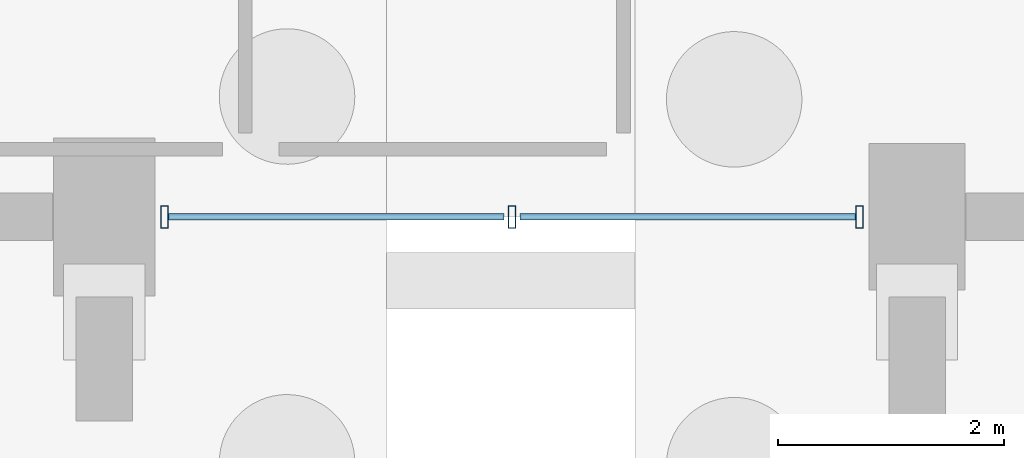
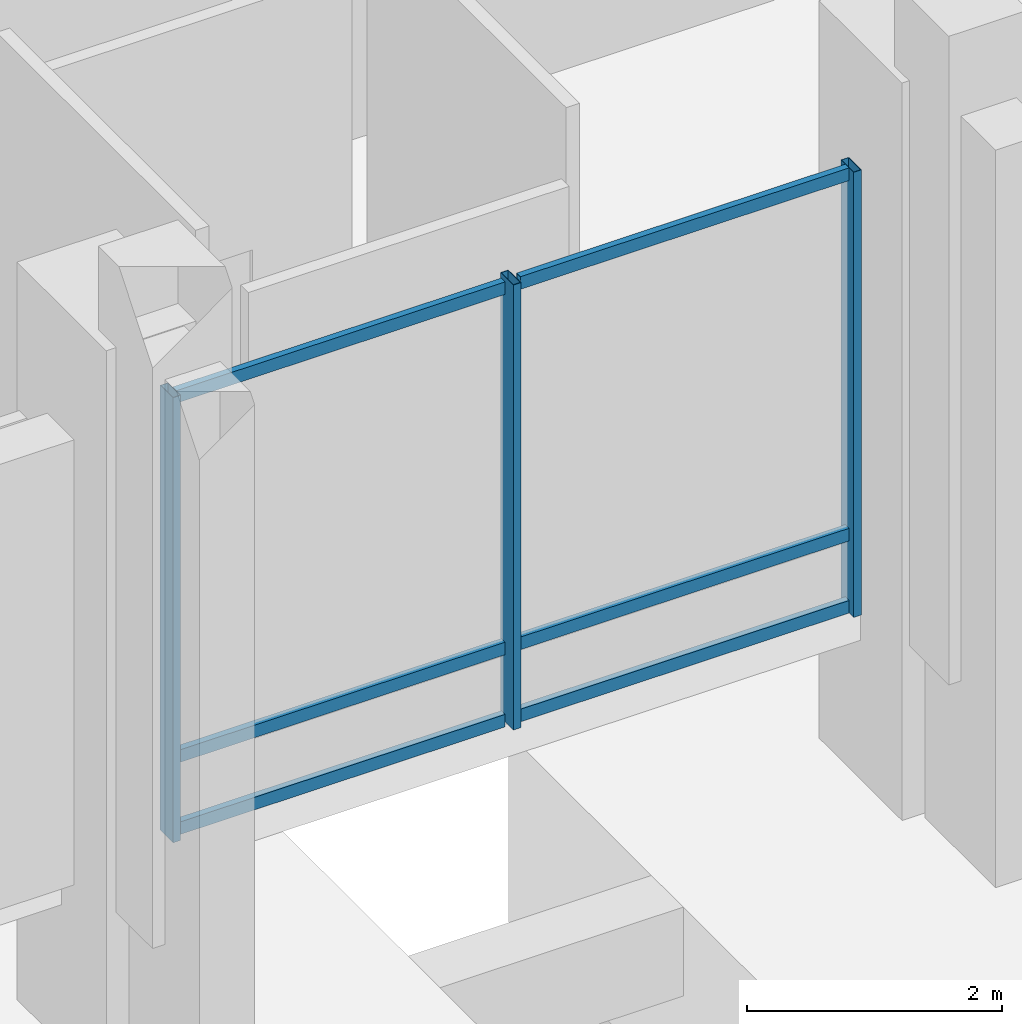
# One storey, part 41 of 192: 9 members, 1 element without a shape of its own.
"""IFC4 building model written with IfcOpenShell, lengths in metres."""

from ifc_helpers import new_model, si_unit, direction, frame, origin, origin_2d, place, context, subcontext, project, spatial, hollow_rectangle, extrude, material, material_profile, profile_set, type_object, element, aggregate, save


model = new_model("IFC4")

# Units and contexts
model_context = context("Model", 3, precision=1e-05, world=origin(), true_north=direction((0.0, 1.0)))
body_context = subcontext(model_context, "Body", "Model", "MODEL_VIEW")
ifc_project = project(units=[si_unit("LENGTHUNIT", "METRE"), si_unit("AREAUNIT", "SQUARE_METRE"), si_unit("VOLUMEUNIT", "CUBIC_METRE"), si_unit("PLANEANGLEUNIT", "RADIAN"), si_unit("MASSUNIT", "GRAM", prefix="KILO")], contexts=[model_context])

# Site, building, storey
site_placement = place(None, origin())
site = spatial("IfcSite", under=ifc_project, at=site_placement, CompositionType="ELEMENT")
building_placement = place(site_placement, origin())
building = spatial("IfcBuilding", under=site, at=building_placement, Name="Cendralis Lancet Convention Centre", CompositionType="ELEMENT")
storey_placement = place(building_placement, origin())
storey = spatial("IfcBuildingStorey", under=building, at=storey_placement, Name="L00", CompositionType="ELEMENT", Elevation=0.0)

# Curtain wall, members
ifc_material = material(Name="Anodised bronze architectural aluminium", Category="aluminium")
curtain_wall_type = type_object("IfcCurtainWallType", Name="ARC-CW-CL01", PredefinedType="USERDEFINED", material=ifc_material)
curtain_wall_placement = place(storey_placement, origin())
curtain_wall = element("IfcCurtainWall", 1, at=curtain_wall_placement, inside=storey, type_object=curtain_wall_type, Name="L00 Curtain Wall CW-CL1 #091", ObjectType="CURTAIN WALL", PredefinedType="USERDEFINED")
ifc_material_profile_1 = material_profile(ifc_material, hollow_rectangle(XDim=0.070068359375, YDim=0.199951171875, WallThickness=0.0048828125, at=origin_2d()), Name="AL-MULL 70x200x5.0")
ifc_profile_set_1 = profile_set([ifc_material_profile_1], Name="Anodised bronze architectural aluminium")
member_type_1 = type_object("IfcMemberType", Name="ARC-CW-ML02", PredefinedType="MULLION", material=ifc_profile_set_1)
member_1_placement = place(storey_placement, frame((42.68994140625, 50.39990234375, 0.0), z_axis=(0.0, 0.0, 1.0), x_axis=(1.0, 0.0, 0.0)))
member_1 = element("IfcMember", 2, at=member_1_placement, type_object=member_type_1, Name="Mullion CW2-CW-CL1-L00-091-M0", PredefinedType="MULLION", context=body_context, shape_type="SweptSolid", body=[
    extrude(hollow_rectangle(XDim=0.070068359375, YDim=0.199951171875, WallThickness=0.0048828125, at=origin_2d()), origin(), (0.0, 0.0, 1.0), 4.2548828125),
])
member_2_placement = place(storey_placement, frame((39.612548828125, 50.39990234375, 0.0), z_axis=(0.0, 0.0, 1.0), x_axis=(1.0, 0.0, 0.0)))
member_2 = element("IfcMember", 3, at=member_2_placement, type_object=member_type_1, Name="Mullion CW2-CW-CL1-L00-091-M1", PredefinedType="MULLION", context=body_context, shape_type="SweptSolid", body=[
    extrude(hollow_rectangle(XDim=0.070068359375, YDim=0.199951171875, WallThickness=0.0048828125, at=origin_2d()), origin(), (0.0, 0.0, 1.0), 4.2548828125),
])
member_3_placement = place(storey_placement, frame((36.534912109375, 50.39990234375, 0.0), z_axis=(0.0, 0.0, 1.0), x_axis=(1.0, 0.0, 0.0)))
member_3 = element("IfcMember", 4, at=member_3_placement, type_object=member_type_1, Name="Mullion CW2-CW-CL1-L00-091-M2", PredefinedType="MULLION", context=body_context, shape_type="SweptSolid", body=[
    extrude(hollow_rectangle(XDim=0.070068359375, YDim=0.199951171875, WallThickness=0.0048828125, at=origin_2d()), origin(), (0.0, 0.0, 1.0), 4.2548828125),
])
ifc_material_profile_2 = material_profile(ifc_material, hollow_rectangle(XDim=0.06005859375, YDim=0.1201171875, WallThickness=0.00390625, at=origin_2d()), Name="AL-TRAN 60x120x4.0")
ifc_profile_set_2 = profile_set([ifc_material_profile_2], Name="Anodised bronze architectural aluminium")
member_type_2 = type_object("IfcMemberType", Name="ARC-CW-TR01", PredefinedType="USERDEFINED", material=ifc_profile_set_2)
member_4_placement = place(storey_placement, frame((42.655029296875, 50.39990234375, 0.06005859375), z_axis=(-1.0, 0.0, 0.0), x_axis=(0.0, -1.0, 0.0)))
member_4 = element("IfcMember", 5, at=member_4_placement, type_object=member_type_2, Name="Transom CW2-CW-CL1-L00-091-T0BOT", ObjectType="TRANSOM", PredefinedType="USERDEFINED", context=body_context, shape_type="SweptSolid", body=[
    extrude(hollow_rectangle(XDim=0.06005859375, YDim=0.1201171875, WallThickness=0.00390625, at=origin_2d()), origin(), (0.0, 0.0, 1.0), 2.972412109375),
])
member_5_placement = place(storey_placement, frame((42.655029296875, 50.39990234375, 0.75), z_axis=(-1.0, 0.0, 0.0), x_axis=(0.0, -1.0, 0.0)))
member_5 = element("IfcMember", 6, at=member_5_placement, type_object=member_type_2, Name="Transom CW2-CW-CL1-L00-091-T0MID", ObjectType="TRANSOM", PredefinedType="USERDEFINED", context=body_context, shape_type="SweptSolid", body=[
    extrude(hollow_rectangle(XDim=0.06005859375, YDim=0.1201171875, WallThickness=0.00390625, at=origin_2d()), origin(), (0.0, 0.0, 1.0), 2.972412109375),
])
member_6_placement = place(storey_placement, frame((42.655029296875, 50.39990234375, 4.195068359375), z_axis=(-1.0, 0.0, 0.0), x_axis=(0.0, -1.0, 0.0)))
member_6 = element("IfcMember", 7, at=member_6_placement, type_object=member_type_2, Name="Transom CW2-CW-CL1-L00-091-T0TOP", ObjectType="TRANSOM", PredefinedType="USERDEFINED", context=body_context, shape_type="SweptSolid", body=[
    extrude(hollow_rectangle(XDim=0.06005859375, YDim=0.1201171875, WallThickness=0.00390625, at=origin_2d()), origin(), (0.0, 0.0, 1.0), 2.972412109375),
])
member_7_placement = place(storey_placement, frame((39.54248046875, 50.39990234375, 0.06005859375), z_axis=(-1.0, 0.0, 0.0), x_axis=(0.0, -1.0, 0.0)))
member_7 = element("IfcMember", 8, at=member_7_placement, type_object=member_type_2, Name="Transom CW2-CW-CL1-L00-091-T1BOT", ObjectType="TRANSOM", PredefinedType="USERDEFINED", context=body_context, shape_type="SweptSolid", body=[
    extrude(hollow_rectangle(XDim=0.06005859375, YDim=0.1201171875, WallThickness=0.00390625, at=origin_2d()), origin(), (0.0, 0.0, 1.0), 2.972412109375),
])
member_8_placement = place(storey_placement, frame((39.54248046875, 50.39990234375, 0.75), z_axis=(-1.0, 0.0, 0.0), x_axis=(0.0, -1.0, 0.0)))
member_8 = element("IfcMember", 9, at=member_8_placement, type_object=member_type_2, Name="Transom CW2-CW-CL1-L00-091-T1MID", ObjectType="TRANSOM", PredefinedType="USERDEFINED", context=body_context, shape_type="SweptSolid", body=[
    extrude(hollow_rectangle(XDim=0.06005859375, YDim=0.1201171875, WallThickness=0.00390625, at=origin_2d()), origin(), (0.0, 0.0, 1.0), 2.972412109375),
])
member_9_placement = place(storey_placement, frame((39.54248046875, 50.39990234375, 4.195068359375), z_axis=(-1.0, 0.0, 0.0), x_axis=(0.0, -1.0, 0.0)))
member_9 = element("IfcMember", 10, at=member_9_placement, type_object=member_type_2, Name="Transom CW2-CW-CL1-L00-091-T1TOP", ObjectType="TRANSOM", PredefinedType="USERDEFINED", context=body_context, shape_type="SweptSolid", body=[
    extrude(hollow_rectangle(XDim=0.06005859375, YDim=0.1201171875, WallThickness=0.00390625, at=origin_2d()), origin(), (0.0, 0.0, 1.0), 2.972412109375),
])
aggregate(curtain_wall, [member_1, member_2, member_3, member_4, member_5, member_6, member_7, member_8, member_9])

save(model, "model.ifc")
